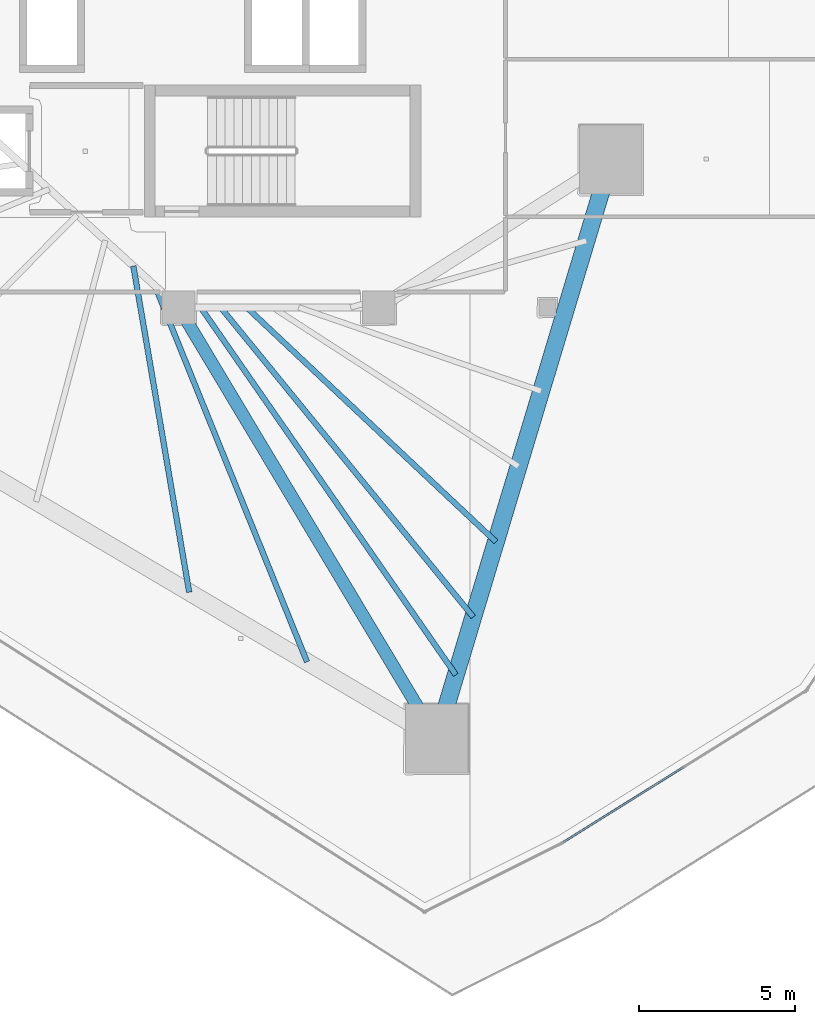
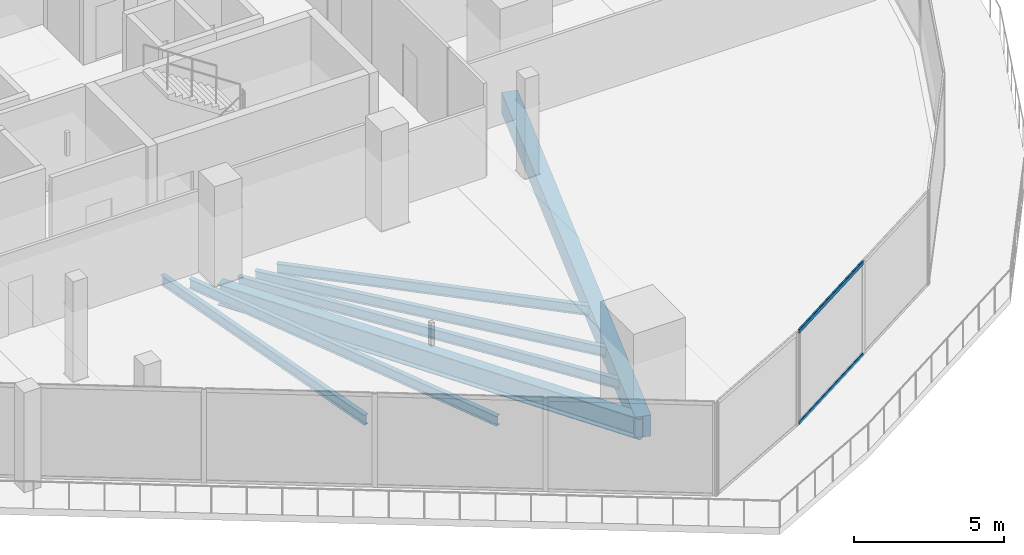
# One storey, part 7 of 35: 7 beams, 2 members, 1 element without a shape of its own.
"""IFC4 building model written with IfcOpenShell, lengths in metres."""

from ifc_helpers import new_model, si_unit, direction, frame, origin, origin_2d, place, context, subcontext, project, spatial, rectangle, hollow_rectangle, i_section, extrude, material, layer, layer_set, material_profile, profile_set, type_object, element, aggregate, save


model = new_model("IFC4")

# Units and contexts
model_context = context("Model", 3, precision=1e-05, world=origin(), true_north=direction((0.0, 1.0)))
body_context = subcontext(model_context, "Body", "Model", "MODEL_VIEW")
ifc_project = project(units=[si_unit("LENGTHUNIT", "METRE"), si_unit("AREAUNIT", "SQUARE_METRE"), si_unit("VOLUMEUNIT", "CUBIC_METRE"), si_unit("PLANEANGLEUNIT", "RADIAN"), si_unit("MASSUNIT", "GRAM", prefix="KILO")], contexts=[model_context])

# Site, building, storey
site_placement = place(None, origin())
site = spatial("IfcSite", under=ifc_project, at=site_placement, CompositionType="ELEMENT")
building_placement = place(site_placement, origin())
building = spatial("IfcBuilding", under=site, at=building_placement, Name="Qorvath Tower", CompositionType="ELEMENT")
storey_placement = place(building_placement, frame((0.0, 0.0, 130.050048828125)))
storey = spatial("IfcBuildingStorey", under=building, at=storey_placement, Name="L29", CompositionType="ELEMENT", Elevation=130.050048828125)

# Beams
ifc_material_1 = material(Name="Steel ASTM A992 Grade 50", Category="steel")
ifc_material_profile_1 = material_profile(ifc_material_1, i_section(OverallWidth=0.39892578125, OverallDepth=0.85498046875, WebThickness=0.018310546875, FlangeThickness=0.029296875, FilletRadius=0.02001953125, at=origin_2d()), Name="W33x201")
ifc_profile_set_1 = profile_set([ifc_material_profile_1], Name="Steel ASTM A992 Grade 50")
beam_type_1 = type_object("IfcBeamType", Name="BM-FG2", PredefinedType="BEAM", material=ifc_profile_set_1)
beam_1_placement = place(storey_placement, frame((-23.60009765625, -11.449951171875, -0.70751953125), z_axis=(0.513497213955, -0.85809126045, 0.0), x_axis=(0.85809126045, 0.513497213955, 0.0)))
element("IfcBeam", 1, at=beam_1_placement, inside=storey, type_object=beam_type_1, Name="Radial Floor Girder CC4-MC3 L29", PredefinedType="BEAM", context=body_context, shape_type="SweptSolid", body=[
    extrude(i_section(OverallWidth=0.39892578125, OverallDepth=0.85498046875, WebThickness=0.018310546875, FlangeThickness=0.029296875, FilletRadius=0.02001953125, at=origin_2d()), origin(), (0.0, 0.0, 1.0), 16.07763671875),
])
ifc_material_2 = material(Name="Steel ASTM A992 Grade 50", Category="steel")
ifc_material_profile_2 = material_profile(ifc_material_2, i_section(OverallWidth=0.177978515625, OverallDepth=0.406005859375, WebThickness=0.0078125, FlangeThickness=0.0126953125, FilletRadius=0.010986328125, at=origin_2d()), Name="W16x40")
ifc_profile_set_2 = profile_set([ifc_material_profile_2], Name="Steel ASTM A992 Grade 50")
beam_type_2 = type_object("IfcBeamType", Name="BM-FJ3", PredefinedType="JOIST", material=ifc_profile_set_2)
beam_2_placement = place(storey_placement, frame((-21.424072265625, -11.449951171875, -0.483154296875), z_axis=(0.728572459091, -0.684968737866, 0.0), x_axis=(0.684968737866, 0.728572459091, 0.0)))
element("IfcBeam", 2, at=beam_2_placement, inside=storey, type_object=beam_type_2, Name="Composite Floor Joist SE5 L29", PredefinedType="JOIST", context=body_context, shape_type="SweptSolid", body=[
    extrude(i_section(OverallWidth=0.177978515625, OverallDepth=0.406005859375, WebThickness=0.0078125, FlangeThickness=0.0126953125, FilletRadius=0.010986328125, at=origin_2d()), origin(), (0.0, 0.0, 1.0), 10.9462890625),
])
beam_3_placement = place(storey_placement, frame((-22.256103515625, -11.449951171875, -0.483154296875), z_axis=(0.632187975212, -0.774815051478, 0.0), x_axis=(0.774815051478, 0.632187975212, 0.0)))
element("IfcBeam", 3, at=beam_3_placement, inside=storey, type_object=beam_type_2, Name="Composite Floor Joist SE6 L29", PredefinedType="JOIST", context=body_context, shape_type="SweptSolid", body=[
    extrude(i_section(OverallWidth=0.177978515625, OverallDepth=0.406005859375, WebThickness=0.0078125, FlangeThickness=0.0126953125, FilletRadius=0.010986328125, at=origin_2d()), origin(), (0.0, 0.0, 1.0), 12.784912109375),
])
beam_4_placement = place(storey_placement, frame((-22.89599609375, -11.449951171875, -0.483154296875), z_axis=(0.570366725248, -0.821390162304, 0.0), x_axis=(0.821390162304, 0.570366725248, 0.0)))
element("IfcBeam", 4, at=beam_4_placement, inside=storey, type_object=beam_type_2, Name="Composite Floor Joist SE7 L29", PredefinedType="JOIST", context=body_context, shape_type="SweptSolid", body=[
    extrude(i_section(OverallWidth=0.177978515625, OverallDepth=0.406005859375, WebThickness=0.0078125, FlangeThickness=0.0126953125, FilletRadius=0.010986328125, at=origin_2d()), origin(), (0.0, 0.0, 1.0), 14.3154296875),
])
beam_5_placement = place(storey_placement, frame((-25.049072265625, -10.126953125, -0.483154296875), z_axis=(0.168745594245, -0.985659639238, 0.0), x_axis=(0.985659639238, 0.168745594245, 0.0)))
element("IfcBeam", 5, at=beam_5_placement, inside=storey, type_object=beam_type_2, Name="Composite Floor Joist SW6 L29", PredefinedType="JOIST", context=body_context, shape_type="SweptSolid", body=[
    extrude(i_section(OverallWidth=0.177978515625, OverallDepth=0.406005859375, WebThickness=0.0078125, FlangeThickness=0.0126953125, FilletRadius=0.010986328125, at=origin_2d()), origin(), (0.0, 0.0, 1.0), 10.589111328125),
])
beam_6_placement = place(storey_placement, frame((-24.35888671875, -10.757080078125, -0.483154296875), z_axis=(0.37487652097, -0.927074751045, 0.0), x_axis=(0.927074751045, 0.37487652097, 0.0)))
element("IfcBeam", 6, at=beam_6_placement, inside=storey, type_object=beam_type_2, Name="Composite Floor Joist SW7 L29", PredefinedType="JOIST", context=body_context, shape_type="SweptSolid", body=[
    extrude(i_section(OverallWidth=0.177978515625, OverallDepth=0.406005859375, WebThickness=0.0078125, FlangeThickness=0.0126953125, FilletRadius=0.010986328125, at=origin_2d()), origin(), (0.0, 0.0, 1.0), 12.9833984375),
])
ifc_material_3 = material(Name="Concrete C50/60", Category="concrete")
ifc_material_profile_3 = material_profile(ifc_material_3, rectangle(XDim=0.550048828125, YDim=0.85009765625, at=origin_2d()), Name="RCB 850x550")
ifc_profile_set_3 = profile_set([ifc_material_profile_3], Name="Concrete C50/60")
beam_type_3 = type_object("IfcBeamType", Name="BM-RCB2", PredefinedType="SPANDREL", material=ifc_profile_set_3)
beam_7_placement = place(storey_placement, frame((-15.34423828125, -25.24609375, -0.705078125), z_axis=(0.288133952099, 0.957590113591, 0.0), x_axis=(-0.957590113591, 0.288133952099, 0.0)))
element("IfcBeam", 7, at=beam_7_placement, inside=storey, type_object=beam_type_3, Name="Perimeter Loggia Frame Beam MC3-MC4 L29", PredefinedType="SPANDREL", context=body_context, shape_type="SweptSolid", body=[
    extrude(rectangle(XDim=0.550048828125, YDim=0.85009765625, at=origin_2d()), origin(), (0.0, 0.0, 1.0), 19.344970703125),
])

# Curtain wall, members
ifc_material_4 = material(Name="Anodised aluminium and triple low-E glass", Category="aluminium")
ifc_layer = layer(ifc_material_4, 0.179931640625)
ifc_layer_set = layer_set([ifc_layer], Name="CW-SYS-2")
curtain_wall_type = type_object("IfcCurtainWallType", Name="CW-SYS-2", PredefinedType="NOTDEFINED", material=ifc_layer_set)
curtain_wall_placement = place(storey_placement, origin())
curtain_wall = element("IfcCurtainWall", 8, at=curtain_wall_placement, inside=storey, type_object=curtain_wall_type, Name="Curtain Wall CW-2 CW-T-L29-4.1", PredefinedType="NOTDEFINED")
ifc_material_5 = material(Name="Anodised aluminium 6063-T6", Category="aluminium")
ifc_material_profile_4 = material_profile(ifc_material_5, hollow_rectangle(XDim=0.06494140625, YDim=0.159912109375, WallThickness=0.00341796875, InnerFilletRadius=0.00341796875, OuterFilletRadius=0.007080078125, at=origin_2d()), Name="CWT 160x65")
ifc_profile_set_4 = profile_set([ifc_material_profile_4], Name="Anodised aluminium 6063-T6")
member_type = type_object("IfcMemberType", Name="CWT-160", PredefinedType="USERDEFINED", material=ifc_profile_set_4)
member_1_placement = place(storey_placement, frame((-11.283203125, -28.5556640625, 0.032470703125), z_axis=(0.848323552443, 0.52947818687, 0.0), x_axis=(-0.52947818687, 0.848323552443, 0.0)))
member_1 = element("IfcMember", 9, at=member_1_placement, type_object=member_type, Name="CW-2 transom 1.1", ObjectType="TRANSOM", PredefinedType="USERDEFINED", context=body_context, shape_type="SweptSolid", body=[
    extrude(hollow_rectangle(XDim=0.06494140625, YDim=0.159912109375, WallThickness=0.00341796875, InnerFilletRadius=0.00341796875, OuterFilletRadius=0.007080078125, at=origin_2d()), origin(), (0.0, 0.0, 1.0), 4.510009765625),
])
member_2_placement = place(storey_placement, frame((-11.283203125, -28.5556640625, 3.74755859375), z_axis=(0.848323552443, 0.52947818687, 0.0), x_axis=(-0.52947818687, 0.848323552443, 0.0)))
member_2 = element("IfcMember", 10, at=member_2_placement, type_object=member_type, Name="CW-2 transom 1.2", ObjectType="TRANSOM", PredefinedType="USERDEFINED", context=body_context, shape_type="SweptSolid", body=[
    extrude(hollow_rectangle(XDim=0.06494140625, YDim=0.159912109375, WallThickness=0.00341796875, InnerFilletRadius=0.00341796875, OuterFilletRadius=0.007080078125, at=origin_2d()), origin(), (0.0, 0.0, 1.0), 4.510009765625),
])
aggregate(curtain_wall, [member_1, member_2])

save(model, "model.ifc")
